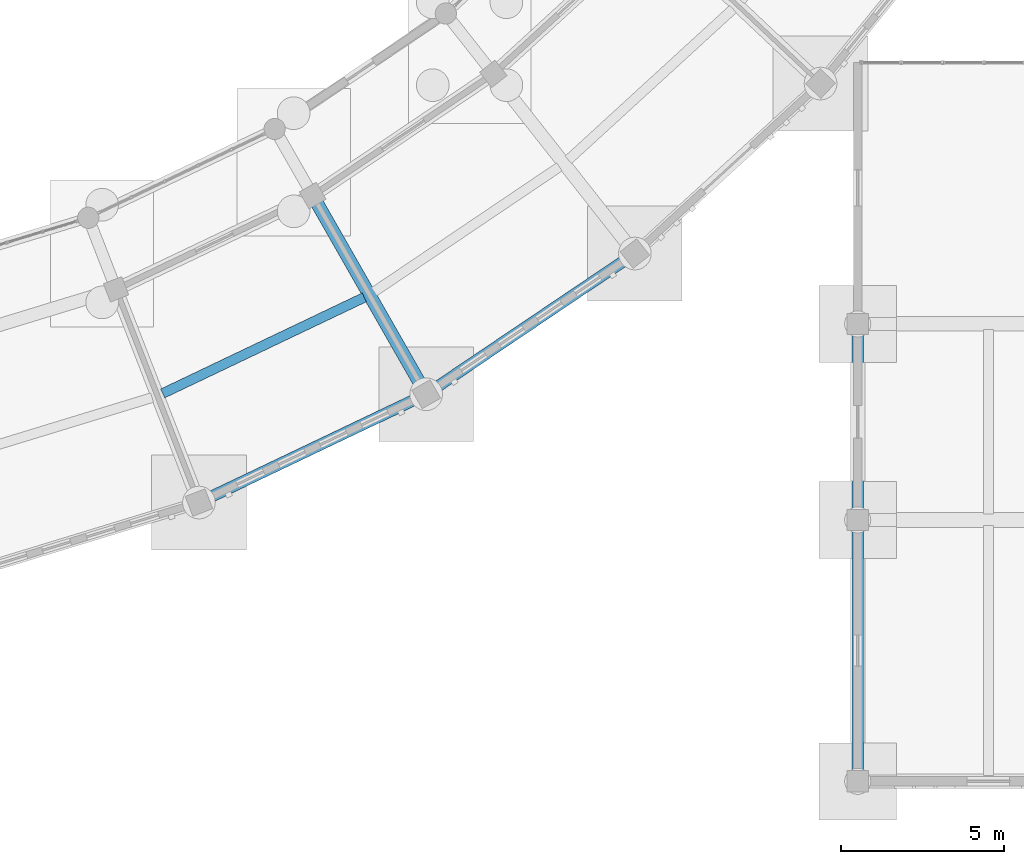
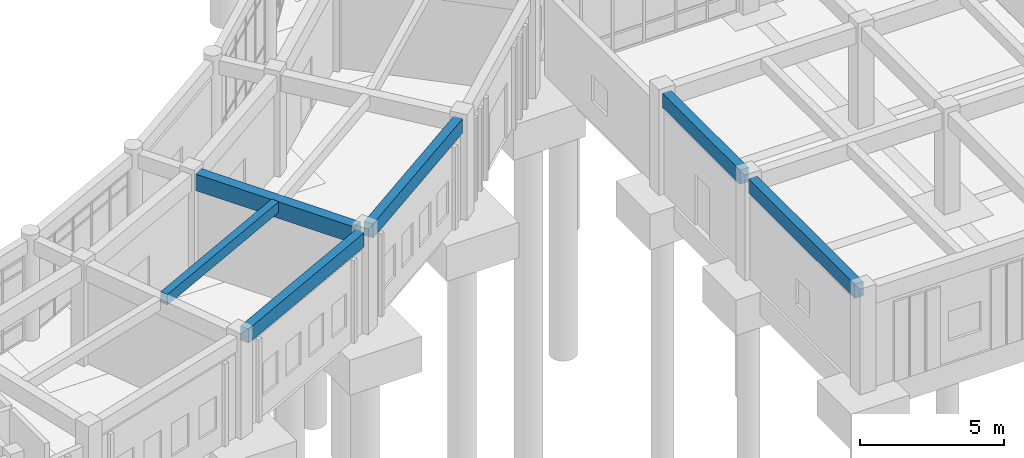
# One storey, part 44 of 153: 6 beams.
"""IFC4 building model written with IfcOpenShell, lengths in metres."""

from ifc_helpers import new_model, si_unit, direction, frame, origin, origin_2d, place, context, subcontext, project, spatial, rectangle, extrude, material, material_profile, profile_set, type_object, element, save


model = new_model("IFC4")

# Units and contexts
model_context = context("Model", 3, precision=1e-05, world=origin(), true_north=direction((0.0, 1.0)))
body_context = subcontext(model_context, "Body", "Model", "MODEL_VIEW")
ifc_project = project(units=[si_unit("LENGTHUNIT", "METRE"), si_unit("AREAUNIT", "SQUARE_METRE"), si_unit("VOLUMEUNIT", "CUBIC_METRE"), si_unit("PLANEANGLEUNIT", "RADIAN"), si_unit("MASSUNIT", "GRAM", prefix="KILO")], contexts=[model_context])

# Site, building, storey
site_placement = place(None, origin())
site = spatial("IfcSite", under=ifc_project, at=site_placement, CompositionType="ELEMENT")
building_placement = place(site_placement, origin())
building = spatial("IfcBuilding", under=site, at=building_placement, Name="Celadon Cloister-Ring School", CompositionType="ELEMENT")
storey_placement = place(building_placement, origin())
storey = spatial("IfcBuildingStorey", under=building, at=storey_placement, Name="L00", CompositionType="ELEMENT", Elevation=0.0)

# Beams
ifc_material_1 = material(Name="Concrete C35/45", Category="concrete")
ifc_material_profile_1 = material_profile(ifc_material_1, rectangle(XDim=0.35009765625, YDim=0.60009765625, at=origin_2d()), Name="RC350X600")
ifc_profile_set_1 = profile_set([ifc_material_profile_1], Name="Concrete C35/45")
beam_type_1 = type_object("IfcBeamType", Name="BT-02", PredefinedType="BEAM", material=ifc_profile_set_1)
beam_1_placement = place(storey_placement, frame((126.0, 2.300048828125, 3.97998046875), z_axis=(0.0, 1.0, 0.0), x_axis=(-1.0, 0.0, 0.0)))
element("IfcBeam", 1, at=beam_1_placement, inside=storey, type_object=beam_type_1, Name="Beam 1216", PredefinedType="BEAM", context=body_context, shape_type="SweptSolid", body=[
    extrude(rectangle(XDim=0.35009765625, YDim=0.60009765625, at=origin_2d()), origin(), (0.0, 0.0, 1.0), 7.39990234375),
])
beam_2_placement = place(storey_placement, frame((126.0, 10.300048828125, 3.97998046875), z_axis=(0.0, 1.0, 0.0), x_axis=(-1.0, 0.0, 0.0)))
element("IfcBeam", 2, at=beam_2_placement, inside=storey, type_object=beam_type_1, Name="Beam 1217", PredefinedType="BEAM", context=body_context, shape_type="SweptSolid", body=[
    extrude(rectangle(XDim=0.35009765625, YDim=0.60009765625, at=origin_2d()), origin(), (0.0, 0.0, 1.0), 5.39990234375),
])
ifc_material_2 = material(Name="Concrete C35/45", Category="concrete")
ifc_material_profile_2 = material_profile(ifc_material_2, rectangle(XDim=0.39990234375, YDim=0.699951171875, at=origin_2d()), Name="RC400X700")
ifc_profile_set_2 = profile_set([ifc_material_profile_2], Name="Concrete C35/45")
beam_type_2 = type_object("IfcBeamType", Name="GT-03", PredefinedType="USERDEFINED", material=ifc_profile_set_2)
beam_3_placement = place(storey_placement, frame((112.64306640625, 14.10791015625, 3.929931640625), z_axis=(-0.496016173034, 0.868313282225, 0.0), x_axis=(-0.868313282225, -0.496016173034, 0.0)))
element("IfcBeam", 3, at=beam_3_placement, inside=storey, type_object=beam_type_2, Name="Beam 0040", ObjectType="GIRDER", PredefinedType="USERDEFINED", context=body_context, shape_type="SweptSolid", body=[
    extrude(rectangle(XDim=0.39990234375, YDim=0.699951171875, at=origin_2d()), origin(), (0.0, 0.0, 1.0), 6.42529296875),
])
ifc_material_3 = material(Name="Concrete C35/45", Category="concrete")
ifc_material_profile_3 = material_profile(ifc_material_3, rectangle(XDim=0.300048828125, YDim=0.449951171875, at=origin_2d()), Name="RC300X450")
ifc_profile_set_3 = profile_set([ifc_material_profile_3], Name="Concrete C35/45")
beam_type_3 = type_object("IfcBeamType", Name="JT-01", PredefinedType="JOIST", material=ifc_profile_set_3)
beam_4_placement = place(storey_placement, frame((104.72802734375, 13.8701171875, 4.054931640625), z_axis=(0.902698033941, 0.43027463267, 0.0), x_axis=(-0.43027463267, 0.902698033941, 0.0)))
element("IfcBeam", 4, at=beam_4_placement, inside=storey, type_object=beam_type_3, Name="Beam 0144", PredefinedType="JOIST", context=body_context, shape_type="SweptSolid", body=[
    extrude(rectangle(XDim=0.300048828125, YDim=0.449951171875, at=origin_2d()), origin(), (0.0, 0.0, 1.0), 6.8349609375),
])
ifc_material_4 = material(Name="Concrete C35/45", Category="concrete")
ifc_material_profile_4 = material_profile(ifc_material_4, rectangle(XDim=0.35009765625, YDim=0.60009765625, at=origin_2d()), Name="RC350X600")
ifc_profile_set_4 = profile_set([ifc_material_profile_4], Name="Concrete C35/45")
beam_type_4 = type_object("IfcBeamType", Name="SP-01", PredefinedType="SPANDREL", material=ifc_profile_set_4)
beam_5_placement = place(storey_placement, frame((106.10888671875, 10.660888671875, 3.97998046875), z_axis=(0.902655856994, 0.430363106963, 0.0), x_axis=(-0.430363106963, 0.902655856994, 0.0)))
element("IfcBeam", 5, at=beam_5_placement, inside=storey, type_object=beam_type_4, Name="Beam 0141", PredefinedType="SPANDREL", context=body_context, shape_type="SweptSolid", body=[
    extrude(rectangle(XDim=0.35009765625, YDim=0.60009765625, at=origin_2d()), origin(), (0.0, 0.0, 1.0), 7.103515625),
])
beam_6_placement = place(storey_placement, frame((113.041015625, 14.014892578125, 3.97998046875), z_axis=(0.82920513084, 0.558944407781, 0.0), x_axis=(-0.558944407781, 0.82920513084, 0.0)))
element("IfcBeam", 6, at=beam_6_placement, inside=storey, type_object=beam_type_4, Name="Beam 0145", PredefinedType="SPANDREL", context=body_context, shape_type="SweptSolid", body=[
    extrude(rectangle(XDim=0.35009765625, YDim=0.60009765625, at=origin_2d()), origin(), (0.0, 0.0, 1.0), 7.10302734375),
])

save(model, "model.ifc")
